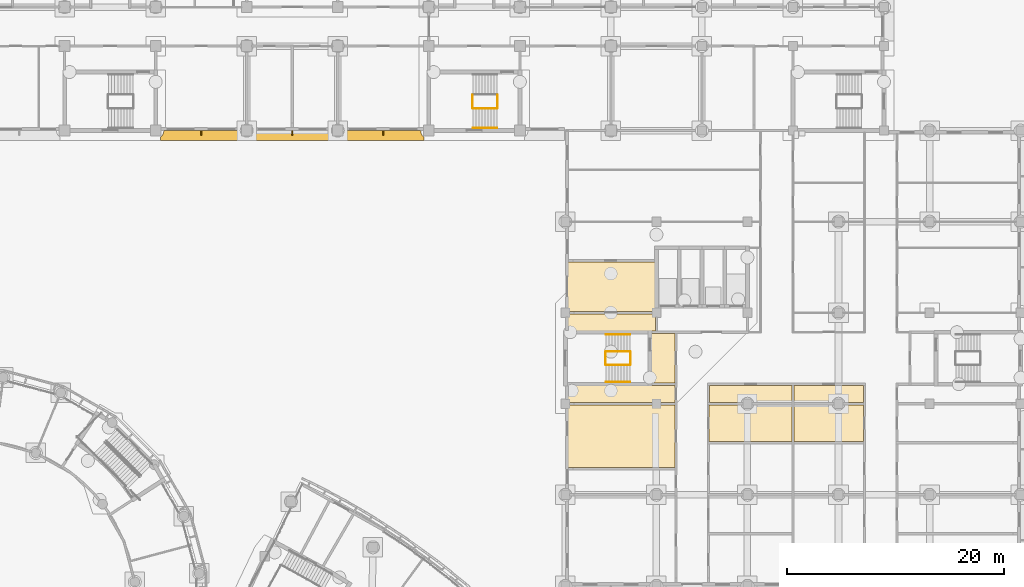
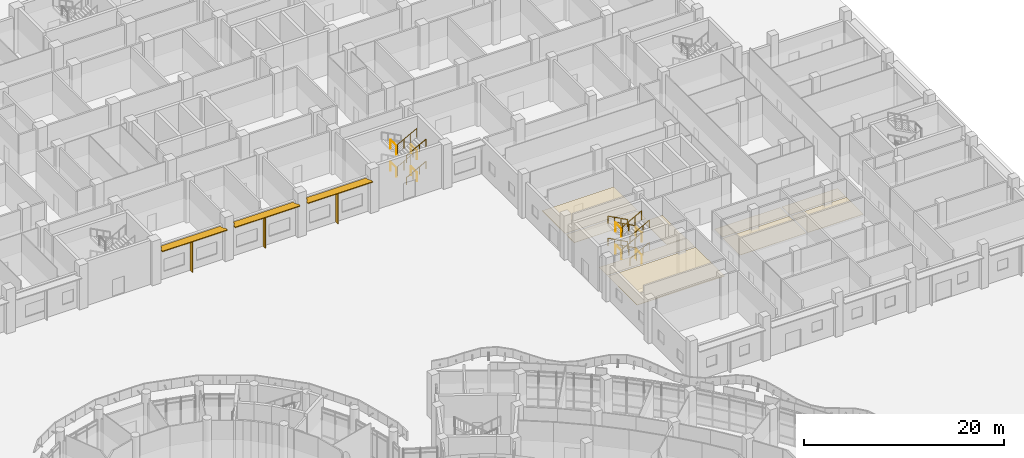
# One storey, part 136 of 146: 20 railings, 9 coverings, 6 shading devices.
"""IFC4 building model written with IfcOpenShell, lengths in metres."""

import ifcopenshell
import ifcopenshell.guid

model = None  # the IFC model being written
_history = None  # IfcOwnerHistory: only IFC2X3 demands one
_inside = {}  # id of a spatial element -> (the spatial element, [elements in it])
_under = {}  # id of a project, library or spatial element -> (it, [spatial elements below it])
_declared = {}  # id of a project -> (the project, [libraries it declares])
_typed = {}  # id of a type object -> (the type object, [elements of that type])
_made_of = {}  # id of a material, layer set ... -> (it, [elements and type objects made of it])


def new_model(schema):
    """Start an empty IFC model of exactly this schema.

    Asked for "IFC4X3", IfcOpenShell would pick the latest addendum, in which some entities
    have other attributes; the version numbers below select the first issue.
    IFC2X3 requires an IfcOwnerHistory on every rooted entity: one is made here for all.
    """
    global model, _history
    if schema == "IFC4X3":
        model = ifcopenshell.file(schema_version=(4, 3, 0, 0))
    else:
        model = ifcopenshell.file(schema=schema)
    _inside.clear()
    _under.clear()
    _declared.clear()
    _typed.clear()
    _made_of.clear()
    _history = None
    if model.schema == "IFC2X3":
        org = make("IfcOrganization", Name="unknown")
        user = make(
            "IfcPersonAndOrganization",
            ThePerson=make("IfcPerson", FamilyName="unknown"),
            TheOrganization=org,
        )
        app = make(
            "IfcApplication",
            ApplicationDeveloper=org,
            Version="unknown",
            ApplicationFullName="unknown",
            ApplicationIdentifier="unknown",
        )
        _history = make(
            "IfcOwnerHistory",
            OwningUser=user,
            OwningApplication=app,
            ChangeAction="ADDED",
            CreationDate=0,
        )
    return model


def make(cls, **values):
    """One entity of the class cls with the attributes given. An attribute that is None is left unset."""
    return model.create_entity(
        cls, **{name: value for name, value in values.items() if value is not None}
    )


def rooted(cls, **values):
    """An entity with a GlobalId (a new one), such as an element, a storey or a relation."""
    return make(cls, GlobalId=ifcopenshell.guid.new(), OwnerHistory=_history, **values)


def si_unit(unit_type, name, prefix=None):
    """IfcSIUnit, for example si_unit("LENGTHUNIT", "METRE", prefix="MILLI")."""
    return make("IfcSIUnit", UnitType=unit_type, Prefix=prefix, Name=name)


def assignment(units):
    """IfcUnitAssignment: the units of a project."""
    return None if units is None else make("IfcUnitAssignment", Units=units)


def point(xyz):
    """IfcCartesianPoint."""
    return None if xyz is None else make("IfcCartesianPoint", Coordinates=xyz)


def direction(xyz):
    """IfcDirection."""
    return None if xyz is None else make("IfcDirection", DirectionRatios=xyz)


def frame(location, z_axis=None, x_axis=None):
    """IfcAxis2Placement3D, a coordinate frame: its origin and axes. An axis left out is left unset."""
    return make(
        "IfcAxis2Placement3D",
        Location=point(location),
        Axis=direction(z_axis),
        RefDirection=direction(x_axis),
    )


def frame_2d(location, x_axis=None):
    """IfcAxis2Placement2D, a coordinate frame in the plane: its origin and x axis."""
    return make(
        "IfcAxis2Placement2D", Location=point(location), RefDirection=direction(x_axis)
    )


def origin():
    """The frame at (0, 0, 0) with its axes left unset."""
    return frame((0.0, 0.0, 0.0))


def origin_2d():
    """The frame at (0, 0) in the plane with its x axis left unset."""
    return frame_2d((0.0, 0.0))


def place(relative_to, where):
    """IfcLocalPlacement: puts the frame where relative to a parent placement (None: the world)."""
    return make(
        "IfcLocalPlacement", PlacementRelTo=relative_to, RelativePlacement=where
    )


def context(
    kind, dimensions, precision=None, world=None, true_north=None, identifier=None
):
    """IfcGeometricRepresentationContext, for example the 3D "Model" context."""
    return make(
        "IfcGeometricRepresentationContext",
        ContextIdentifier=identifier,
        ContextType=kind,
        CoordinateSpaceDimension=dimensions,
        Precision=precision,
        WorldCoordinateSystem=world,
        TrueNorth=true_north,
    )


def subcontext(parent, identifier, kind, view, scale=None):
    """IfcGeometricRepresentationSubContext, for example "Body" below "Model"."""
    return make(
        "IfcGeometricRepresentationSubContext",
        ContextIdentifier=identifier,
        ContextType=kind,
        ParentContext=parent,
        TargetScale=scale,
        TargetView=view,
    )


def project(units=None, contexts=None):
    """IfcProject with its units and contexts."""
    return rooted(
        "IfcProject",
        Name="project",
        RepresentationContexts=contexts,
        UnitsInContext=assignment(units),
    )


def spatial(cls, under=None, at=None, **own):
    """A site, building, storey or space (cls), placed at a placement, below another one or the project."""
    s = rooted(cls, ObjectPlacement=at, **own)
    if under is not None:
        _under.setdefault(under.id(), (under, []))[1].append(s)
    return s


def polyline(points):
    """IfcPolyline through the points."""
    return make("IfcPolyline", Points=[point(p) for p in points])


def profile(cls, at=None, kind="AREA", **sizes):
    """A parametric profile (cls). Its sizes go by their IFC names, for example OverallWidth=200.0."""
    return make(cls, ProfileType=kind, Position=at, **sizes)


def rectangle(**sizes):
    """IfcRectangleProfileDef."""
    return profile("IfcRectangleProfileDef", **sizes)


def circle(**sizes):
    """IfcCircleProfileDef."""
    return profile("IfcCircleProfileDef", **sizes)


def outline(outer, holes=None, kind="AREA"):
    """IfcArbitraryClosedProfileDef: a profile drawn as a closed curve; with holes, ...WithVoids."""
    if holes is None:
        return make("IfcArbitraryClosedProfileDef", ProfileType=kind, OuterCurve=outer)
    return make(
        "IfcArbitraryProfileDefWithVoids",
        ProfileType=kind,
        OuterCurve=outer,
        InnerCurves=holes,
    )


def extrude(swept, where, along, depth):
    """IfcExtrudedAreaSolid: the profile swept, set in the frame where, extruded along a direction by depth."""
    return make(
        "IfcExtrudedAreaSolid",
        SweptArea=swept,
        Position=where,
        ExtrudedDirection=direction(along),
        Depth=depth,
    )


def shape(context_of_items, identifier, shape_type, items):
    """IfcShapeRepresentation: the items that make up one representation, for example the "Body"."""
    return make(
        "IfcShapeRepresentation",
        ContextOfItems=context_of_items,
        RepresentationIdentifier=identifier,
        RepresentationType=shape_type,
        Items=items,
    )


def material(Name=None, Category=None):
    """IfcMaterial."""
    return make("IfcMaterial", Name=Name, Category=Category)


def layer(
    of_material, thickness, ventilated=None, Name=None, Category=None, Priority=None
):
    """IfcMaterialLayer: one layer of a wall or slab, of a material (None: an air gap)."""
    return make(
        "IfcMaterialLayer",
        Material=of_material,
        LayerThickness=thickness,
        IsVentilated=ventilated,
        Name=Name,
        Category=Category,
        Priority=Priority,
    )


def layer_set(layers, Name=None):
    """IfcMaterialLayerSet."""
    return make("IfcMaterialLayerSet", MaterialLayers=layers, LayerSetName=Name)


def material_profile(
    of_material, cross_section, Name=None, Category=None, Priority=None
):
    """IfcMaterialProfile: a cross section and its material."""
    return make(
        "IfcMaterialProfile",
        Name=Name,
        Material=of_material,
        Profile=cross_section,
        Priority=Priority,
        Category=Category,
    )


def profile_set(profiles, Name=None, composite=None):
    """IfcMaterialProfileSet."""
    return make(
        "IfcMaterialProfileSet",
        Name=Name,
        MaterialProfiles=profiles,
        CompositeProfile=composite,
    )


def made_of(thing, what):
    """Note that an element or type object is made of a material, layer set ...; save() writes the relation."""
    if what is not None:
        _made_of.setdefault(what.id(), (what, []))[1].append(thing)
    return thing


def type_object(cls, material=None, **own):
    """A type object (cls), such as IfcWallType, which elements share."""
    return made_of(rooted(cls, **own), material)


def element(
    cls,
    number,
    at=None,
    inside=None,
    cuts=None,
    type_object=None,
    material=None,
    context=None,
    identifier="Body",
    shape_type=None,
    held_by="IfcProductDefinitionShape",
    body=None,
    shapes=None,
    **own,
):
    """One element of the class cls, such as IfcWall. Its Tag is "e" and its number.

    at: its placement. inside: the storey or other place that contains it. cuts: it is an
    opening in that element (IfcRelVoidsElement). A single representation is given by context,
    identifier, shape_type and body (its items); several are given by shapes. held_by: the class
    of the entity that holds the representations. save() writes the other relations.
    """
    e = rooted(cls, Tag="e%d" % number, ObjectPlacement=at, **own)
    if body is not None:
        shapes = [shape(context, identifier, shape_type, body)]
    if shapes is not None:
        e.Representation = make(held_by, Representations=shapes)
    if inside is not None:
        _inside.setdefault(inside.id(), (inside, []))[1].append(e)
    if cuts is not None:
        rooted(
            "IfcRelVoidsElement", RelatingBuildingElement=cuts, RelatedOpeningElement=e
        )
    if type_object is not None:
        _typed.setdefault(type_object.id(), (type_object, []))[1].append(e)
    return made_of(e, material)


def aggregate(whole, parts):
    """IfcRelAggregates: a whole, such as a stair, and the parts it consists of."""
    return rooted("IfcRelAggregates", RelatingObject=whole, RelatedObjects=parts)


def save(model, path):
    """Write the relations noted so far, then the file.

    IfcRelAggregates (storeys below a building ...), IfcRelContainedInSpatialStructure (elements
    in a storey), IfcRelDefinesByType, IfcRelAssociatesMaterial and IfcRelDeclares: one each for
    every whole, place, type object, material and project.
    """
    for whole, parts in _under.values():
        aggregate(whole, parts)
    for where, things in _inside.values():
        rooted(
            "IfcRelContainedInSpatialStructure",
            RelatedElements=things,
            RelatingStructure=where,
        )
    for kind, things in _typed.values():
        rooted("IfcRelDefinesByType", RelatedObjects=things, RelatingType=kind)
    for what, things in _made_of.values():
        rooted("IfcRelAssociatesMaterial", RelatedObjects=things, RelatingMaterial=what)
    for by, libraries in _declared.values():
        rooted("IfcRelDeclares", RelatingContext=by, RelatedDefinitions=libraries)
    model.write(path)


model = new_model("IFC4")

# Units and contexts
model_context = context("Model", 3, precision=1e-05, world=origin(), true_north=direction((0.0, 1.0)))
body_context = subcontext(model_context, "Body", "Model", "MODEL_VIEW")
ifc_project = project(units=[si_unit("LENGTHUNIT", "METRE"), si_unit("AREAUNIT", "SQUARE_METRE"), si_unit("VOLUMEUNIT", "CUBIC_METRE"), si_unit("PLANEANGLEUNIT", "RADIAN"), si_unit("MASSUNIT", "GRAM", prefix="KILO")], contexts=[model_context])

# Site, building, storey
site_placement = place(None, origin())
site = spatial("IfcSite", under=ifc_project, at=site_placement, CompositionType="ELEMENT")
building_placement = place(site_placement, origin())
building = spatial("IfcBuilding", under=site, at=building_placement, Name="Bougainvillea Quay General Hospital", CompositionType="ELEMENT")
storey_placement = place(building_placement, origin())
storey = spatial("IfcBuildingStorey", under=building, at=storey_placement, Name="L00", CompositionType="ELEMENT", Elevation=0.0)

# Railings
ifc_material_1 = material(Name="Stainless steel 304 balustrade", Category="steel")
railing_type_1 = type_object("IfcRailingType", Name="Stair guard 1100", PredefinedType="GUARDRAIL", material=ifc_material_1)
railing_1_placement = place(storey_placement, frame((169.77490234375, 97.22509765625, 0.14990234375)))
element("IfcRailing", 1, at=railing_1_placement, inside=storey, type_object=railing_type_1, Name="L00 ST-T1 stair guard 1", PredefinedType="GUARDRAIL", context=body_context, shape_type="SweptSolid", body=[
    extrude(circle(Radius=0.02392578125, at=origin_2d()), frame((0.0, 0.0, 1.076171875), z_axis=(-0.881447119201, 0.0, 0.472282728937), x_axis=(0.0, -1.0, 0.0)), (0.0, 0.0, 1.0), 2.541259765625),
    extrude(circle(Radius=0.02099609375, at=origin_2d()), origin(), (0.0, 0.0, 1.0), 1.052001953125),
    extrude(circle(Radius=0.02099609375, at=origin_2d()), frame((-0.74658203125, 0.0, 0.400146484375)), (0.0, 0.0, 1.0), 1.052001953125),
    extrude(circle(Radius=0.02099609375, at=origin_2d()), frame((-1.493408203125, 0.0, 0.800048828125)), (0.0, 0.0, 1.0), 1.052001953125),
    extrude(circle(Radius=0.02099609375, at=origin_2d()), frame((-2.239990234375, 0.0, 1.2001953125)), (0.0, 0.0, 1.0), 1.052001953125),
])
railing_2_placement = place(storey_placement, frame((167.485107421875, 97.175048828125, 1.35009765625)))
element("IfcRailing", 2, at=railing_2_placement, inside=storey, type_object=railing_type_1, Name="L00 ST-T1 stair guard 2", PredefinedType="GUARDRAIL", context=body_context, shape_type="SweptSolid", body=[
    extrude(circle(Radius=0.02392578125, at=origin_2d()), frame((0.0, 0.0, 1.076171875), z_axis=(0.0, -1.0, 0.0), x_axis=(1.0, 0.0, 0.0)), (0.0, 0.0, 1.0), 1.150146484375),
    extrude(circle(Radius=0.02099609375, at=origin_2d()), origin(), (0.0, 0.0, 1.0), 1.052001953125),
    extrude(circle(Radius=0.02099609375, at=origin_2d()), frame((0.0, -1.150146484375, 0.0)), (0.0, 0.0, 1.0), 1.052001953125),
])
railing_3_placement = place(storey_placement, frame((167.534912109375, 95.97509765625, 1.5)))
element("IfcRailing", 3, at=railing_3_placement, inside=storey, type_object=railing_type_1, Name="L00 ST-T1 stair guard 3", PredefinedType="GUARDRAIL", context=body_context, shape_type="SweptSolid", body=[
    extrude(circle(Radius=0.02392578125, at=origin_2d()), frame((0.0, 0.0, 1.076171875), z_axis=(0.881487111273, 0.0, 0.472208081951), x_axis=(0.0, 1.0, 0.0)), (0.0, 0.0, 1.0), 2.541259765625),
    extrude(circle(Radius=0.02099609375, at=origin_2d()), origin(), (0.0, 0.0, 1.0), 1.052001953125),
    extrude(circle(Radius=0.02099609375, at=origin_2d()), frame((0.74658203125, 0.0, 0.39990234375)), (0.0, 0.0, 1.0), 1.052001953125),
    extrude(circle(Radius=0.02099609375, at=origin_2d()), frame((1.493408203125, 0.0, 0.800048828125)), (0.0, 0.0, 1.0), 1.052001953125),
    extrude(circle(Radius=0.02099609375, at=origin_2d()), frame((2.239990234375, 0.0, 1.199951171875)), (0.0, 0.0, 1.0), 1.052001953125),
])
railing_4_placement = place(storey_placement, frame((169.824951171875, 97.175048828125, 2.699951171875)))
element("IfcRailing", 4, at=railing_4_placement, inside=storey, type_object=railing_type_1, Name="L00 ST-T1 stair guard 4", PredefinedType="GUARDRAIL", context=body_context, shape_type="SweptSolid", body=[
    extrude(circle(Radius=0.02392578125, at=origin_2d()), frame((0.0, 0.0, 1.076171875), z_axis=(0.0, -1.0, 0.0), x_axis=(1.0, 0.0, 0.0)), (0.0, 0.0, 1.0), 1.150146484375),
    extrude(circle(Radius=0.02099609375, at=origin_2d()), origin(), (0.0, 0.0, 1.0), 1.052001953125),
    extrude(circle(Radius=0.02099609375, at=origin_2d()), frame((0.0, -1.150146484375, 0.0)), (0.0, 0.0, 1.0), 1.052001953125),
])
railing_5_placement = place(storey_placement, frame((169.77490234375, 97.22509765625, 2.85009765625)))
element("IfcRailing", 5, at=railing_5_placement, inside=storey, type_object=railing_type_1, Name="L00 ST-T1 stair guard 5", PredefinedType="GUARDRAIL", context=body_context, shape_type="SweptSolid", body=[
    extrude(circle(Radius=0.02392578125, at=origin_2d()), frame((0.0, 0.0, 1.076171875), z_axis=(-0.881487111273, 0.0, 0.472208081951), x_axis=(0.0, -1.0, 0.0)), (0.0, 0.0, 1.0), 2.541259765625),
    extrude(circle(Radius=0.02099609375, at=origin_2d()), origin(), (0.0, 0.0, 1.0), 1.052001953125),
    extrude(circle(Radius=0.02099609375, at=origin_2d()), frame((-0.74658203125, 0.0, 0.39990234375)), (0.0, 0.0, 1.0), 1.052001953125),
    extrude(circle(Radius=0.02099609375, at=origin_2d()), frame((-1.493408203125, 0.0, 0.800048828125)), (0.0, 0.0, 1.0), 1.052001953125),
    extrude(circle(Radius=0.02099609375, at=origin_2d()), frame((-2.239990234375, 0.0, 1.199951171875)), (0.0, 0.0, 1.0), 1.052001953125),
])
railing_6_placement = place(storey_placement, frame((167.485107421875, 97.175048828125, 4.050048828125)))
element("IfcRailing", 6, at=railing_6_placement, inside=storey, type_object=railing_type_1, Name="L00 ST-T1 stair guard 6", PredefinedType="GUARDRAIL", context=body_context, shape_type="SweptSolid", body=[
    extrude(circle(Radius=0.02392578125, at=origin_2d()), frame((0.0, 0.0, 1.076171875), z_axis=(0.0, -1.0, 0.0), x_axis=(1.0, 0.0, 0.0)), (0.0, 0.0, 1.0), 1.150146484375),
    extrude(circle(Radius=0.02099609375, at=origin_2d()), origin(), (0.0, 0.0, 1.0), 1.052001953125),
    extrude(circle(Radius=0.02099609375, at=origin_2d()), frame((0.0, -1.150146484375, 0.0)), (0.0, 0.0, 1.0), 1.052001953125),
])
railing_7_placement = place(storey_placement, frame((167.534912109375, 95.97509765625, 4.199951171875)))
element("IfcRailing", 7, at=railing_7_placement, inside=storey, type_object=railing_type_1, Name="L00 ST-T1 stair guard 7", PredefinedType="GUARDRAIL", context=body_context, shape_type="SweptSolid", body=[
    extrude(circle(Radius=0.02392578125, at=origin_2d()), frame((0.0, 0.0, 1.076171875), z_axis=(0.881487111273, 0.0, 0.472208081951), x_axis=(0.0, 1.0, 0.0)), (0.0, 0.0, 1.0), 2.541259765625),
    extrude(circle(Radius=0.02099609375, at=origin_2d()), origin(), (0.0, 0.0, 1.0), 1.052001953125),
    extrude(circle(Radius=0.02099609375, at=origin_2d()), frame((0.74658203125, 0.0, 0.39990234375)), (0.0, 0.0, 1.0), 1.052001953125),
    extrude(circle(Radius=0.02099609375, at=origin_2d()), frame((1.493408203125, 0.0, 0.800048828125)), (0.0, 0.0, 1.0), 1.052001953125),
    extrude(circle(Radius=0.02099609375, at=origin_2d()), frame((2.239990234375, 0.0, 1.199951171875)), (0.0, 0.0, 1.0), 1.052001953125),
])
railing_8_placement = place(storey_placement, frame((169.824951171875, 97.175048828125, 0.0)))
element("IfcRailing", 8, at=railing_8_placement, inside=storey, type_object=railing_type_1, Name="L00 ST-T1 stair guard 8", PredefinedType="GUARDRAIL", context=body_context, shape_type="SweptSolid", body=[
    extrude(circle(Radius=0.02392578125, at=origin_2d()), frame((0.0, 0.0, 1.076171875), z_axis=(0.0, -1.0, 0.0), x_axis=(1.0, 0.0, 0.0)), (0.0, 0.0, 1.0), 1.150146484375),
    extrude(circle(Radius=0.02099609375, at=origin_2d()), origin(), (0.0, 0.0, 1.0), 1.052001953125),
    extrude(circle(Radius=0.02099609375, at=origin_2d()), frame((0.0, -1.150146484375, 0.0)), (0.0, 0.0, 1.0), 1.052001953125),
])
railing_9_placement = place(storey_placement, frame((155.2099609375, 120.89990234375, 1.35009765625)))
element("IfcRailing", 9, at=railing_9_placement, inside=storey, type_object=railing_type_1, Name="L00 ST-B4 stair guard 2", PredefinedType="GUARDRAIL", context=body_context, shape_type="SweptSolid", body=[
    extrude(circle(Radius=0.02392578125, at=origin_2d()), frame((0.0, 0.0, 1.076171875), z_axis=(0.0, -1.0, 0.0), x_axis=(1.0, 0.0, 0.0)), (0.0, 0.0, 1.0), 1.199951171875),
    extrude(circle(Radius=0.02099609375, at=origin_2d()), origin(), (0.0, 0.0, 1.0), 1.052001953125),
    extrude(circle(Radius=0.02099609375, at=origin_2d()), frame((0.0, -1.199951171875, 0.0)), (0.0, 0.0, 1.0), 1.052001953125),
])
railing_10_placement = place(storey_placement, frame((155.260009765625, 119.64990234375, 1.5)))
element("IfcRailing", 10, at=railing_10_placement, inside=storey, type_object=railing_type_1, Name="L00 ST-B4 stair guard 3", PredefinedType="GUARDRAIL", context=body_context, shape_type="SweptSolid", body=[
    extrude(circle(Radius=0.02392578125, at=origin_2d()), frame((0.0, 0.0, 1.076171875), z_axis=(0.881487111273, 0.0, 0.472208081951), x_axis=(0.0, 1.0, 0.0)), (0.0, 0.0, 1.0), 2.541259765625),
    extrude(circle(Radius=0.02099609375, at=origin_2d()), origin(), (0.0, 0.0, 1.0), 1.052001953125),
    extrude(circle(Radius=0.02099609375, at=origin_2d()), frame((0.74658203125, 0.0, 0.39990234375)), (0.0, 0.0, 1.0), 1.052001953125),
    extrude(circle(Radius=0.02099609375, at=origin_2d()), frame((1.493408203125, 0.0, 0.800048828125)), (0.0, 0.0, 1.0), 1.052001953125),
    extrude(circle(Radius=0.02099609375, at=origin_2d()), frame((2.239990234375, 0.0, 1.199951171875)), (0.0, 0.0, 1.0), 1.052001953125),
])
for number, where, name in (
    (11, (157.550048828125, 120.89990234375, 2.699951171875), "L00 ST-B4 stair guard 4"),
    (12, (155.2099609375, 120.89990234375, 4.050048828125), "L00 ST-B4 stair guard 6"),
):
    element("IfcRailing", number, at=place(storey_placement, frame(where)), inside=storey, type_object=railing_type_1, Name=name, PredefinedType="GUARDRAIL", context=body_context, shape_type="SweptSolid", body=[
        extrude(circle(Radius=0.02392578125, at=origin_2d()), frame((0.0, 0.0, 1.076171875), z_axis=(0.0, -1.0, 0.0), x_axis=(1.0, 0.0, 0.0)), (0.0, 0.0, 1.0), 1.199951171875),
        extrude(circle(Radius=0.02099609375, at=origin_2d()), origin(), (0.0, 0.0, 1.0), 1.052001953125),
        extrude(circle(Radius=0.02099609375, at=origin_2d()), frame((0.0, -1.199951171875, 0.0)), (0.0, 0.0, 1.0), 1.052001953125),
    ])
railing_11_placement = place(storey_placement, frame((155.260009765625, 119.64990234375, 4.199951171875)))
element("IfcRailing", 13, at=railing_11_placement, inside=storey, type_object=railing_type_1, Name="L00 ST-B4 stair guard 7", PredefinedType="GUARDRAIL", context=body_context, shape_type="SweptSolid", body=[
    extrude(circle(Radius=0.02392578125, at=origin_2d()), frame((0.0, 0.0, 1.076171875), z_axis=(0.881487111273, 0.0, 0.472208081951), x_axis=(0.0, 1.0, 0.0)), (0.0, 0.0, 1.0), 2.541259765625),
    extrude(circle(Radius=0.02099609375, at=origin_2d()), origin(), (0.0, 0.0, 1.0), 1.052001953125),
    extrude(circle(Radius=0.02099609375, at=origin_2d()), frame((0.74658203125, 0.0, 0.39990234375)), (0.0, 0.0, 1.0), 1.052001953125),
    extrude(circle(Radius=0.02099609375, at=origin_2d()), frame((1.493408203125, 0.0, 0.800048828125)), (0.0, 0.0, 1.0), 1.052001953125),
    extrude(circle(Radius=0.02099609375, at=origin_2d()), frame((2.239990234375, 0.0, 1.199951171875)), (0.0, 0.0, 1.0), 1.052001953125),
])
railing_12_placement = place(storey_placement, frame((157.550048828125, 120.89990234375, 0.0)))
element("IfcRailing", 14, at=railing_12_placement, inside=storey, type_object=railing_type_1, Name="L00 ST-B4 stair guard 8", PredefinedType="GUARDRAIL", context=body_context, shape_type="SweptSolid", body=[
    extrude(circle(Radius=0.02392578125, at=origin_2d()), frame((0.0, 0.0, 1.076171875), z_axis=(0.0, -1.0, 0.0), x_axis=(1.0, 0.0, 0.0)), (0.0, 0.0, 1.0), 1.199951171875),
    extrude(circle(Radius=0.02099609375, at=origin_2d()), origin(), (0.0, 0.0, 1.0), 1.052001953125),
    extrude(circle(Radius=0.02099609375, at=origin_2d()), frame((0.0, -1.199951171875, 0.0)), (0.0, 0.0, 1.0), 1.052001953125),
])
ifc_material_2 = material(Name="Stainless steel 304 handrail", Category="steel")
railing_type_2 = type_object("IfcRailingType", Name="Stair handrail 900", PredefinedType="HANDRAIL", material=ifc_material_2)
railing_13_placement = place(storey_placement, frame((169.77490234375, 98.77490234375, 0.14990234375)))
element("IfcRailing", 15, at=railing_13_placement, inside=storey, type_object=railing_type_2, Name="L00 ST-T1 stair handrail 1", PredefinedType="HANDRAIL", context=body_context, shape_type="SweptSolid", body=[
    extrude(circle(Radius=0.02392578125, at=origin_2d()), frame((0.0, 0.0, 0.8759765625), z_axis=(-0.881447119201, 0.0, 0.472282728937), x_axis=(0.0, -1.0, 0.0)), (0.0, 0.0, 1.0), 2.541259765625),
    extrude(circle(Radius=0.02099609375, at=origin_2d()), origin(), (0.0, 0.0, 1.0), 0.851806640625),
    extrude(circle(Radius=0.02099609375, at=origin_2d()), frame((-0.74658203125, 0.0, 0.400146484375)), (0.0, 0.0, 1.0), 0.851806640625),
    extrude(circle(Radius=0.02099609375, at=origin_2d()), frame((-1.493408203125, 0.0, 0.800048828125)), (0.0, 0.0, 1.0), 0.851806640625),
    extrude(circle(Radius=0.02099609375, at=origin_2d()), frame((-2.239990234375, 0.0, 1.2001953125)), (0.0, 0.0, 1.0), 0.851806640625),
])
railing_14_placement = place(storey_placement, frame((167.534912109375, 94.425048828125, 1.5)))
element("IfcRailing", 16, at=railing_14_placement, inside=storey, type_object=railing_type_2, Name="L00 ST-T1 stair handrail 2", PredefinedType="HANDRAIL", context=body_context, shape_type="SweptSolid", body=[
    extrude(circle(Radius=0.02392578125, at=origin_2d()), frame((0.0, 0.0, 0.8759765625), z_axis=(0.881487111273, 0.0, 0.472208081951), x_axis=(0.0, 1.0, 0.0)), (0.0, 0.0, 1.0), 2.541259765625),
    extrude(circle(Radius=0.02099609375, at=origin_2d()), origin(), (0.0, 0.0, 1.0), 0.851806640625),
    extrude(circle(Radius=0.02099609375, at=origin_2d()), frame((0.74658203125, 0.0, 0.39990234375)), (0.0, 0.0, 1.0), 0.851806640625),
    extrude(circle(Radius=0.02099609375, at=origin_2d()), frame((1.493408203125, 0.0, 0.800048828125)), (0.0, 0.0, 1.0), 0.851806640625),
    extrude(circle(Radius=0.02099609375, at=origin_2d()), frame((2.239990234375, 0.0, 1.199951171875)), (0.0, 0.0, 1.0), 0.851806640625),
])
railing_15_placement = place(storey_placement, frame((169.77490234375, 98.77490234375, 2.85009765625)))
element("IfcRailing", 17, at=railing_15_placement, inside=storey, type_object=railing_type_2, Name="L00 ST-T1 stair handrail 3", PredefinedType="HANDRAIL", context=body_context, shape_type="SweptSolid", body=[
    extrude(circle(Radius=0.02392578125, at=origin_2d()), frame((0.0, 0.0, 0.8759765625), z_axis=(-0.881487111273, 0.0, 0.472208081951), x_axis=(0.0, -1.0, 0.0)), (0.0, 0.0, 1.0), 2.541259765625),
    extrude(circle(Radius=0.02099609375, at=origin_2d()), origin(), (0.0, 0.0, 1.0), 0.851806640625),
    extrude(circle(Radius=0.02099609375, at=origin_2d()), frame((-0.74658203125, 0.0, 0.39990234375)), (0.0, 0.0, 1.0), 0.851806640625),
    extrude(circle(Radius=0.02099609375, at=origin_2d()), frame((-1.493408203125, 0.0, 0.800048828125)), (0.0, 0.0, 1.0), 0.851806640625),
    extrude(circle(Radius=0.02099609375, at=origin_2d()), frame((-2.239990234375, 0.0, 1.199951171875)), (0.0, 0.0, 1.0), 0.851806640625),
])
for number, where, name in (
    (18, (167.534912109375, 94.425048828125, 4.199951171875), "L00 ST-T1 stair handrail 4"),
    (19, (155.260009765625, 117.824951171875, 1.5), "L00 ST-B4 stair handrail 2"),
    (20, (155.260009765625, 117.824951171875, 4.199951171875), "L00 ST-B4 stair handrail 4"),
):
    element("IfcRailing", number, at=place(storey_placement, frame(where)), inside=storey, type_object=railing_type_2, Name=name, PredefinedType="HANDRAIL", context=body_context, shape_type="SweptSolid", body=[
        extrude(circle(Radius=0.02392578125, at=origin_2d()), frame((0.0, 0.0, 0.8759765625), z_axis=(0.881487111273, 0.0, 0.472208081951), x_axis=(0.0, 1.0, 0.0)), (0.0, 0.0, 1.0), 2.541259765625),
        extrude(circle(Radius=0.02099609375, at=origin_2d()), origin(), (0.0, 0.0, 1.0), 0.851806640625),
        extrude(circle(Radius=0.02099609375, at=origin_2d()), frame((0.74658203125, 0.0, 0.39990234375)), (0.0, 0.0, 1.0), 0.851806640625),
        extrude(circle(Radius=0.02099609375, at=origin_2d()), frame((1.493408203125, 0.0, 0.800048828125)), (0.0, 0.0, 1.0), 0.851806640625),
        extrude(circle(Radius=0.02099609375, at=origin_2d()), frame((2.239990234375, 0.0, 1.199951171875)), (0.0, 0.0, 1.0), 0.851806640625),
    ])

# Shading devices
ifc_material_3 = material(Name="Powder-coated aluminium canopy soffit and fascia, white", Category="aluminium")
ifc_layer_1 = layer(ifc_material_3, 0.10009765625)
ifc_layer_set_1 = layer_set([ifc_layer_1], Name="Powder-coated aluminium canopy soffit and fascia, white")
shading_device_type_1 = type_object("IfcShadingDeviceType", Name="Sunshade 100", PredefinedType="USERDEFINED", material=ifc_layer_set_1)
shading_device_1_placement = place(storey_placement, frame((0.0, 0.0, 4.050048828125)))
element("IfcShadingDevice", 21, at=shading_device_1_placement, inside=storey, type_object=shading_device_type_1, Name="Sunshade 0", ObjectType="Sunshade", PredefinedType="USERDEFINED", context=body_context, shape_type="SweptSolid", body=[
    extrude(outline(polyline([(133.64990234375, 117.60009765625), (126.75, 117.60009765625), (126.746337890625, 117.5263671875), (126.7177734375, 117.38232421875), (126.661376953125, 117.246337890625), (126.579833984375, 117.124267578125), (126.5302734375, 117.069580078125), (126.449951171875, 117.001220703125), (126.449951171875, 116.699951171875), (133.949951171875, 116.699951171875), (133.949951171875, 117.001220703125), (133.86962890625, 117.069580078125), (133.8203125, 117.124267578125), (133.738525390625, 117.246337890625), (133.70703125, 117.31298828125), (133.664306640625, 117.45361328125), (133.64990234375, 117.60009765625)])), origin(), (0.0, 0.0, 1.0), 0.099853515625),
])
shading_device_2_placement = place(storey_placement, frame((0.0, 0.0, 4.050048828125)))
element("IfcShadingDevice", 22, at=shading_device_2_placement, inside=storey, type_object=shading_device_type_1, Name="Sunshade 0", ObjectType="Sunshade", PredefinedType="USERDEFINED", context=body_context, shape_type="SweptSolid", body=[
    extrude(outline(polyline([(142.050048828125, 117.60009765625), (135.14990234375, 117.60009765625), (135.135498046875, 117.45361328125), (135.093017578125, 117.31298828125), (135.0615234375, 117.246337890625), (134.979736328125, 117.124267578125), (134.930419921875, 117.069580078125), (134.85009765625, 117.001220703125), (134.85009765625, 116.699951171875), (142.35009765625, 116.699951171875), (142.35009765625, 117.001220703125), (142.269775390625, 117.069580078125), (142.22021484375, 117.124267578125), (142.138671875, 117.246337890625), (142.107177734375, 117.31298828125), (142.064453125, 117.45361328125), (142.050048828125, 117.60009765625)])), origin(), (0.0, 0.0, 1.0), 0.099853515625),
])
shading_device_3_placement = place(storey_placement, frame((0.0, 0.0, 4.050048828125)))
element("IfcShadingDevice", 23, at=shading_device_3_placement, inside=storey, type_object=shading_device_type_1, Name="Sunshade 0", ObjectType="Sunshade", PredefinedType="USERDEFINED", context=body_context, shape_type="SweptSolid", body=[
    extrude(outline(polyline([(150.449951171875, 117.60009765625), (143.550048828125, 117.60009765625), (143.53564453125, 117.45361328125), (143.492919921875, 117.31298828125), (143.46142578125, 117.246337890625), (143.379638671875, 117.124267578125), (143.330322265625, 117.069580078125), (143.25, 117.001220703125), (143.25, 116.699951171875), (150.75, 116.699951171875), (150.75, 117.001220703125), (150.669677734375, 117.069580078125), (150.620361328125, 117.124267578125), (150.53857421875, 117.246337890625), (150.507080078125, 117.31298828125), (150.46435546875, 117.45361328125), (150.449951171875, 117.60009765625)])), origin(), (0.0, 0.0, 1.0), 0.099853515625),
])

# Coverings
ifc_material_4 = material(Name="Mineral fibre ceiling tile")
ifc_layer_2 = layer(ifc_material_4, 0.030029296875)
ifc_layer_set_2 = layer_set([ifc_layer_2], Name="Mineral fibre ceiling tile")
covering_type = type_object("IfcCoveringType", Name="Suspended ceiling mineral fibre tile", PredefinedType="CEILING", material=ifc_layer_set_2)
covering_1_placement = place(storey_placement, frame((0.0, 0.0, 2.699951171875)))
element("IfcCovering", 24, at=covering_1_placement, inside=storey, type_object=covering_type, Name="Ceiling Smoke-proof Stair Vestibule ST-T1", PredefinedType="CEILING", context=body_context, shape_type="SweptSolid", body=[
    extrude(outline(polyline([(171.699951171875, 98.89990234375), (171.699951171875, 94.300048828125), (173.89990234375, 94.300048828125), (173.89990234375, 98.89990234375), (171.699951171875, 98.89990234375)])), origin(), (0.0, 0.0, 1.0), 0.030029296875),
])
covering_2_placement = place(storey_placement, frame((0.0, 0.0, 2.800048828125)))
element("IfcCovering", 25, at=covering_2_placement, inside=storey, type_object=covering_type, Name="Ceiling CSSD Decontamination Room", PredefinedType="CEILING", context=body_context, shape_type="SweptSolid", body=[
    extrude(outline(polyline([(163.800048828125, 92.5), (173.89990234375, 92.5), (173.89990234375, 94.10009765625), (163.800048828125, 94.10009765625), (163.800048828125, 92.5)])), origin(), (0.0, 0.0, 1.0), 0.030029296875),
])
covering_3_placement = place(storey_placement, frame((0.0, 0.0, 2.800048828125)))
element("IfcCovering", 26, at=covering_3_placement, inside=storey, type_object=covering_type, Name="Ceiling CSSD Washer Disinfector Room", PredefinedType="CEILING", context=body_context, shape_type="SweptSolid", body=[
    extrude(outline(polyline([(163.800048828125, 86.5), (173.89990234375, 86.5), (173.89990234375, 92.300048828125), (163.800048828125, 92.300048828125), (163.800048828125, 86.5)])), origin(), (0.0, 0.0, 1.0), 0.030029296875),
])
covering_4_placement = place(storey_placement, frame((0.0, 0.0, 2.800048828125)))
element("IfcCovering", 27, at=covering_4_placement, inside=storey, type_object=covering_type, Name="Ceiling CSSD Sterile Store", PredefinedType="CEILING", context=body_context, shape_type="SweptSolid", body=[
    extrude(outline(polyline([(184.699951171875, 92.5), (184.699951171875, 94.10009765625), (177.10009765625, 94.10009765625), (177.10009765625, 92.5), (184.699951171875, 92.5)])), origin(), (0.0, 0.0, 1.0), 0.030029296875),
])
covering_5_placement = place(storey_placement, frame((0.0, 0.0, 2.800048828125)))
element("IfcCovering", 28, at=covering_5_placement, inside=storey, type_object=covering_type, Name="Ceiling CSSD Dispatch Room", PredefinedType="CEILING", context=body_context, shape_type="SweptSolid", body=[
    extrude(outline(polyline([(177.050048828125, 88.89990234375), (184.699951171875, 88.89990234375), (184.699951171875, 92.300048828125), (177.050048828125, 92.300048828125), (177.050048828125, 88.89990234375)])), origin(), (0.0, 0.0, 1.0), 0.030029296875),
])
covering_6_placement = place(storey_placement, frame((0.0, 0.0, 2.800048828125)))
element("IfcCovering", 29, at=covering_6_placement, inside=storey, type_object=covering_type, Name="Ceiling Theatre Consumables Store", PredefinedType="CEILING", context=body_context, shape_type="SweptSolid", body=[
    extrude(outline(polyline([(184.89990234375, 92.5), (191.300048828125, 92.5), (191.300048828125, 94.10009765625), (184.89990234375, 94.10009765625), (184.89990234375, 92.5)])), origin(), (0.0, 0.0, 1.0), 0.030029296875),
])
covering_7_placement = place(storey_placement, frame((0.0, 0.0, 2.800048828125)))
element("IfcCovering", 30, at=covering_7_placement, inside=storey, type_object=covering_type, Name="Ceiling Theatre Implant Store", PredefinedType="CEILING", context=body_context, shape_type="SweptSolid", body=[
    extrude(outline(polyline([(191.300048828125, 88.89990234375), (191.300048828125, 92.300048828125), (184.89990234375, 92.300048828125), (184.89990234375, 88.89990234375), (191.300048828125, 88.89990234375)])), origin(), (0.0, 0.0, 1.0), 0.030029296875),
])
covering_8_placement = place(storey_placement, frame((0.0, 0.0, 2.800048828125)))
element("IfcCovering", 31, at=covering_8_placement, inside=storey, type_object=covering_type, Name="Ceiling Theatre Goods Reception", PredefinedType="CEILING", context=body_context, shape_type="SweptSolid", body=[
    extrude(outline(polyline([(163.800048828125, 99.050048828125), (171.5, 99.050048828125), (171.5, 99.10009765625), (172.10009765625, 99.10009765625), (172.10009765625, 100.699951171875), (163.800048828125, 100.699951171875), (163.800048828125, 99.050048828125)])), origin(), (0.0, 0.0, 1.0), 0.030029296875),
])
covering_9_placement = place(storey_placement, frame((0.0, 0.0, 2.800048828125)))
element("IfcCovering", 32, at=covering_9_placement, inside=storey, type_object=covering_type, Name="Ceiling Theatre Waste Collection Room", PredefinedType="CEILING", context=body_context, shape_type="SweptSolid", body=[
    extrude(outline(polyline([(163.800048828125, 100.89990234375), (172.10009765625, 100.89990234375), (172.10009765625, 105.498046875), (163.800048828125, 105.498046875), (163.800048828125, 100.89990234375)])), origin(), (0.0, 0.0, 1.0), 0.030029296875),
])

# Shading devices
ifc_material_5 = material(Name="Powder-coated aluminium fin, white", Category="aluminium")
ifc_material_profile = material_profile(ifc_material_5, rectangle(XDim=0.449951171875, YDim=0.10009765625, at=origin_2d()))
ifc_profile_set = profile_set([ifc_material_profile], Name="Powder-coated aluminium fin, white")
shading_device_type_2 = type_object("IfcShadingDeviceType", Name="Vertical fin 450x100", PredefinedType="USERDEFINED", material=ifc_profile_set)
for number, where, z_axis, x_axis, name in (
    (33, (130.199951171875, 117.375, 0.0), (0.0, 0.0, 1.0), (0.0, -1.0, 0.0), "Vertical fin 00d 1"),
    (34, (138.60009765625, 117.375, 0.0), (0.0, 0.0, 1.0), (0.0, -1.0, 0.0), "Vertical fin 00e 1"),
    (35, (147.0, 117.375, 0.0), (0.0, 0.0, 1.0), (0.0, -1.0, 0.0), "Vertical fin 00f 1"),
):
    element("IfcShadingDevice", number, at=place(storey_placement, frame(where, z_axis=z_axis, x_axis=x_axis)), inside=storey, type_object=shading_device_type_2, Name=name, ObjectType="Vertical fin", PredefinedType="USERDEFINED", context=body_context, shape_type="SweptSolid", body=[
        extrude(rectangle(XDim=0.449951171875, YDim=0.10009765625, at=origin_2d()), origin(), (0.0, 0.0, 1.0), 4.050048828125),
    ])

save(model, "model.ifc")
